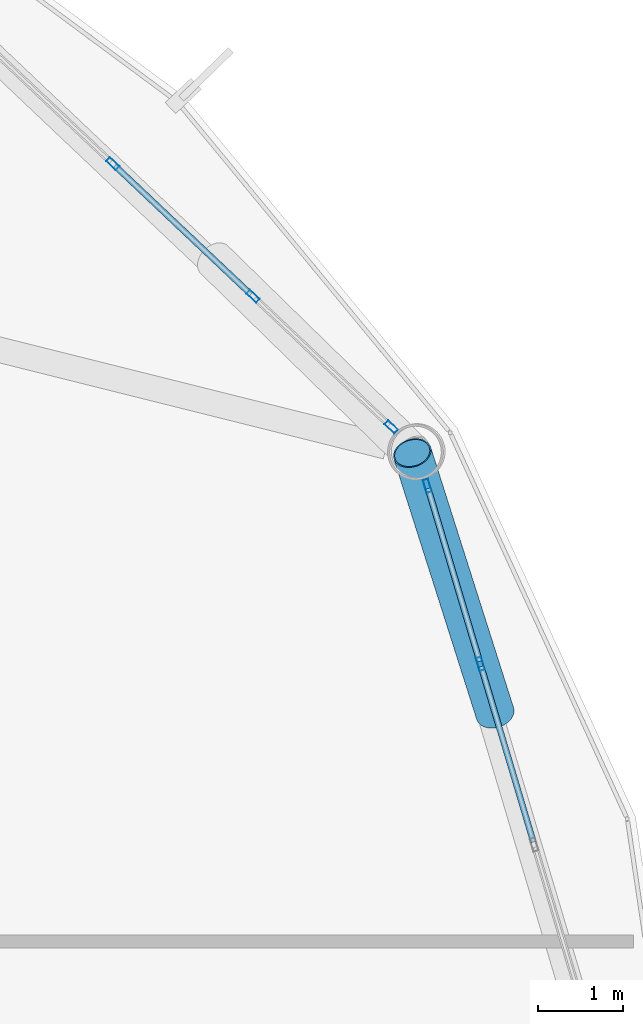
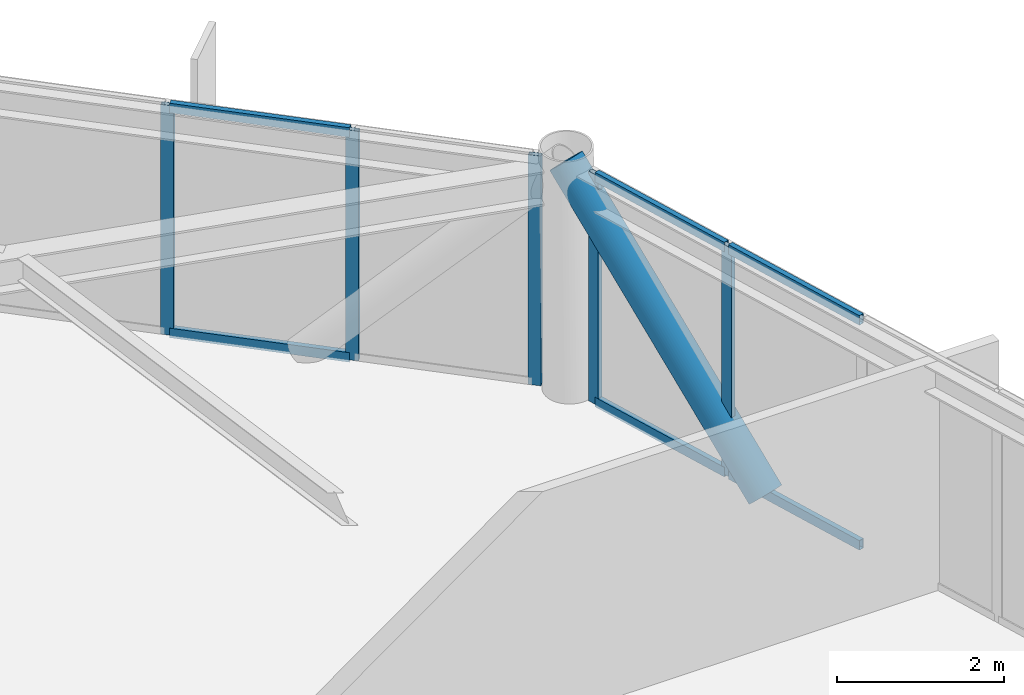
# One storey, part 15 of 25: 12 members, 2 elements without a shape of their own.
"""IFC4 building model written with IfcOpenShell, lengths in metres."""

from ifc_helpers import new_model, si_unit, direction, frame, origin, origin_2d, place, context, subcontext, project, spatial, hollow_rectangle, hollow_circle, extrude, material, layer, layer_set, material_profile, profile_set, type_object, element, aggregate, save


model = new_model("IFC4")

# Units and contexts
model_context = context("Model", 3, precision=1e-05, world=origin(), true_north=direction((0.0, 1.0)))
body_context = subcontext(model_context, "Body", "Model", "MODEL_VIEW")
ifc_project = project(units=[si_unit("LENGTHUNIT", "METRE"), si_unit("AREAUNIT", "SQUARE_METRE"), si_unit("VOLUMEUNIT", "CUBIC_METRE"), si_unit("PLANEANGLEUNIT", "RADIAN"), si_unit("MASSUNIT", "GRAM", prefix="KILO")], contexts=[model_context])

# Site, building, storey
site_placement = place(None, origin())
site = spatial("IfcSite", under=ifc_project, at=site_placement, CompositionType="ELEMENT")
building_placement = place(site_placement, origin())
building = spatial("IfcBuilding", under=site, at=building_placement, Name="Varnakorn Sky Granary", CompositionType="ELEMENT")
storey_placement = place(building_placement, frame((0.0, 0.0, 178.800048828125)))
storey = spatial("IfcBuildingStorey", under=building, at=storey_placement, Name="L44", CompositionType="ELEMENT", Elevation=178.800048828125)

# Curtain wall, members
ifc_material_1 = material(Name="Anodised Bronze Aluminium Alloy 6063-T6", Category="aluminium")
ifc_layer = layer(ifc_material_1, 0.169921875, Name="Anodised Bronze Aluminium Alloy 6063-T6")
ifc_layer_set = layer_set([ifc_layer], Name="Anodised Bronze Aluminium Alloy 6063-T6")
curtain_wall_type = type_object("IfcCurtainWallType", Name="CW-LAB-1", PredefinedType="USERDEFINED", material=ifc_layer_set)
curtain_wall_1_placement = place(storey_placement, origin())
curtain_wall_1 = element("IfcCurtainWall", 1, at=curtain_wall_1_placement, inside=storey, type_object=curtain_wall_type, Name="Unitised Curtain Wall CW5 CW-L44-B01", ObjectType="CURTAIN WALL", PredefinedType="USERDEFINED")
ifc_material_profile_1 = material_profile(ifc_material_1, hollow_rectangle(XDim=0.06494140625, YDim=0.159912109375, WallThickness=0.00341796875, at=origin_2d()), Name="ALU MULL 65x160")
ifc_profile_set_1 = profile_set([ifc_material_profile_1], Name="Anodised Bronze Aluminium Alloy 6063-T6")
member_type_1 = type_object("IfcMemberType", Name="CW-LAB-1-MULL", PredefinedType="MULLION", material=ifc_profile_set_1)
member_1_placement = place(storey_placement, frame((21.9853515625, 8.885498046875, 0.0), z_axis=(0.0, 0.0, 1.0), x_axis=(0.958388556979, 0.285466940034, 0.0)))
member_1 = element("IfcMember", 2, at=member_1_placement, type_object=member_type_1, Name="CW5 mullion 1", PredefinedType="MULLION", context=body_context, shape_type="SweptSolid", body=[
    extrude(hollow_rectangle(XDim=0.06494140625, YDim=0.159912109375, WallThickness=0.00341796875, at=origin_2d()), origin(), (0.0, 0.0, 1.0), 3.35986328125),
])
member_2_placement = place(storey_placement, frame((22.6123046875, 6.781005859375, 0.0), z_axis=(0.0, 0.0, 1.0), x_axis=(0.958388556979, 0.285466940034, 0.0)))
member_2 = element("IfcMember", 3, at=member_2_placement, type_object=member_type_1, Name="CW5 mullion 2", PredefinedType="MULLION", context=body_context, shape_type="SweptSolid", body=[
    extrude(hollow_rectangle(XDim=0.06494140625, YDim=0.159912109375, WallThickness=0.00341796875, at=origin_2d()), origin(), (0.0, 0.0, 1.0), 3.35986328125),
])

curtain_wall_2_placement = place(storey_placement, origin())
curtain_wall_2 = element("IfcCurtainWall", 4, at=curtain_wall_2_placement, inside=storey, type_object=curtain_wall_type, Name="Unitised Curtain Wall CW5 CW-L44-B02", ObjectType="CURTAIN WALL", PredefinedType="USERDEFINED")
member_3_placement = place(storey_placement, frame((18.26904296875, 12.691162109375, 0.0), z_axis=(0.0, 0.0, 1.0), x_axis=(0.687123508986, 0.726540627494, 0.0)))
member_3 = element("IfcMember", 5, at=member_3_placement, type_object=member_type_1, Name="CW5 mullion 3", PredefinedType="MULLION", context=body_context, shape_type="SweptSolid", body=[
    extrude(hollow_rectangle(XDim=0.06494140625, YDim=0.159912109375, WallThickness=0.00341796875, at=origin_2d()), origin(), (0.0, 0.0, 1.0), 3.35986328125),
])
member_4_placement = place(storey_placement, frame((19.92529296875, 11.124755859375, 0.0), z_axis=(0.0, 0.0, 1.0), x_axis=(0.687123508986, 0.726540627494, 0.0)))
member_4 = element("IfcMember", 6, at=member_4_placement, type_object=member_type_1, Name="CW5 mullion 4", PredefinedType="MULLION", context=body_context, shape_type="SweptSolid", body=[
    extrude(hollow_rectangle(XDim=0.06494140625, YDim=0.159912109375, WallThickness=0.00341796875, at=origin_2d()), origin(), (0.0, 0.0, 1.0), 3.35986328125),
])
member_5_placement = place(storey_placement, frame((21.557861328125, 9.580810546875, 0.0), z_axis=(0.0, 0.0, 1.0), x_axis=(0.687123508986, 0.726540627494, 0.0)))
member_5 = element("IfcMember", 7, at=member_5_placement, type_object=member_type_1, Name="CW5 mullion 5", PredefinedType="MULLION", context=body_context, shape_type="SweptSolid", body=[
    extrude(hollow_rectangle(XDim=0.06494140625, YDim=0.159912109375, WallThickness=0.00341796875, at=origin_2d()), origin(), (0.0, 0.0, 1.0), 3.35986328125),
])

# Member
ifc_material_profile_2 = material_profile(ifc_material_1, hollow_rectangle(XDim=0.070068359375, YDim=0.139892578125, WallThickness=0.00341796875, at=origin_2d()), Name="ALU TRAN 70x140")
ifc_profile_set_2 = profile_set([ifc_material_profile_2], Name="Anodised Bronze Aluminium Alloy 6063-T6")
member_type_2 = type_object("IfcMemberType", Name="CW-LAB-1-TRAN", PredefinedType="USERDEFINED", material=ifc_profile_set_2)
member_6_placement = place(storey_placement, frame((21.99462890625, 8.8544921875, 0.034912109375), z_axis=(0.2854765866, -0.958385683586, 0.0), x_axis=(0.958385683586, 0.2854765866, 0.0)))
member_6 = element("IfcMember", 8, at=member_6_placement, type_object=member_type_2, Name="CW5 transom 1.1", ObjectType="TRANSOM", PredefinedType="USERDEFINED", context=body_context, shape_type="SweptSolid", body=[
    extrude(hollow_rectangle(XDim=0.070068359375, YDim=0.139892578125, WallThickness=0.00341796875, at=origin_2d()), origin(), (0.0, 0.0, 1.0), 2.131103515625),
])

member_7_placement = place(storey_placement, frame((21.99462890625, 8.8544921875, 3.324951171875), z_axis=(0.2854765866, -0.958385683586, 0.0), x_axis=(0.958385683586, 0.2854765866, 0.0)))
member_7 = element("IfcMember", 9, at=member_7_placement, type_object=member_type_2, Name="CW5 transom 1.2", ObjectType="TRANSOM", PredefinedType="USERDEFINED", context=body_context, shape_type="SweptSolid", body=[
    extrude(hollow_rectangle(XDim=0.070068359375, YDim=0.139892578125, WallThickness=0.00341796875, at=origin_2d()), origin(), (0.0, 0.0, 1.0), 2.131103515625),
])

member_8_placement = place(storey_placement, frame((22.62158203125, 6.749755859375, 0.034912109375), z_axis=(0.285421446915, -0.958402106446, 0.0), x_axis=(0.958402106446, 0.285421446915, 0.0)))
member_8 = element("IfcMember", 10, at=member_8_placement, type_object=member_type_2, Name="CW5 transom 2.1", ObjectType="TRANSOM", PredefinedType="USERDEFINED", context=body_context, shape_type="SweptSolid", body=[
    extrude(hollow_rectangle(XDim=0.070068359375, YDim=0.139892578125, WallThickness=0.00341796875, at=origin_2d()), origin(), (0.0, 0.0, 1.0), 2.163330078125),
])

member_9_placement = place(storey_placement, frame((22.62158203125, 6.749755859375, 3.324951171875), z_axis=(0.285421446915, -0.958402106446, 0.0), x_axis=(0.958402106446, 0.285421446915, 0.0)))
member_9 = element("IfcMember", 11, at=member_9_placement, type_object=member_type_2, Name="CW5 transom 2.2", ObjectType="TRANSOM", PredefinedType="USERDEFINED", context=body_context, shape_type="SweptSolid", body=[
    extrude(hollow_rectangle(XDim=0.070068359375, YDim=0.139892578125, WallThickness=0.00341796875, at=origin_2d()), origin(), (0.0, 0.0, 1.0), 2.163330078125),
])

aggregate(curtain_wall_1, [member_1, member_2, member_6, member_7, member_8, member_9])

member_10_placement = place(storey_placement, frame((18.292724609375, 12.668701171875, 0.034912109375), z_axis=(0.726566591573, -0.687096054428, 0.0), x_axis=(0.687096054428, 0.726566591573, 0.0)))
member_10 = element("IfcMember", 12, at=member_10_placement, type_object=member_type_2, Name="CW5 transom 3.1", ObjectType="TRANSOM", PredefinedType="USERDEFINED", context=body_context, shape_type="SweptSolid", body=[
    extrude(hollow_rectangle(XDim=0.070068359375, YDim=0.139892578125, WallThickness=0.00341796875, at=origin_2d()), origin(), (0.0, 0.0, 1.0), 2.21435546875),
])

member_11_placement = place(storey_placement, frame((18.292724609375, 12.668701171875, 3.324951171875), z_axis=(0.726566591573, -0.687096054428, 0.0), x_axis=(0.687096054428, 0.726566591573, 0.0)))
member_11 = element("IfcMember", 13, at=member_11_placement, type_object=member_type_2, Name="CW5 transom 3.2", ObjectType="TRANSOM", PredefinedType="USERDEFINED", context=body_context, shape_type="SweptSolid", body=[
    extrude(hollow_rectangle(XDim=0.070068359375, YDim=0.139892578125, WallThickness=0.00341796875, at=origin_2d()), origin(), (0.0, 0.0, 1.0), 2.21435546875),
])

aggregate(curtain_wall_2, [member_3, member_4, member_5, member_10, member_11])

ifc_material_2 = material(Name="Steel S460M", Category="steel")
ifc_material_profile_3 = material_profile(ifc_material_2, hollow_circle(Radius=0.228515625, WallThickness=0.01611328125, at=origin_2d()), Name="CHS 457x16")
ifc_profile_set_3 = profile_set([ifc_material_profile_3], Name="Steel S460M")
member_type_3 = type_object("IfcMemberType", Name="MB-DIAG-T3", PredefinedType="BRACE", material=ifc_profile_set_3)
member_12_placement = place(storey_placement, frame((22.787109375, 6.193603515625, 0.0), z_axis=(-0.21025522115, 0.660615097087, 0.720680536354), x_axis=(-0.952900975702, -0.303281602651, 0.0)))
element("IfcMember", 14, at=member_12_placement, inside=storey, type_object=member_type_3, Name="Perimeter CHS Diagrid Brace DG01 L44", PredefinedType="BRACE", context=body_context, shape_type="SweptSolid", body=[
    extrude(hollow_circle(Radius=0.228515625, WallThickness=0.01611328125, at=origin_2d()), origin(), (0.0, 0.0, 1.0), 4.662109375),
])

save(model, "model.ifc")
